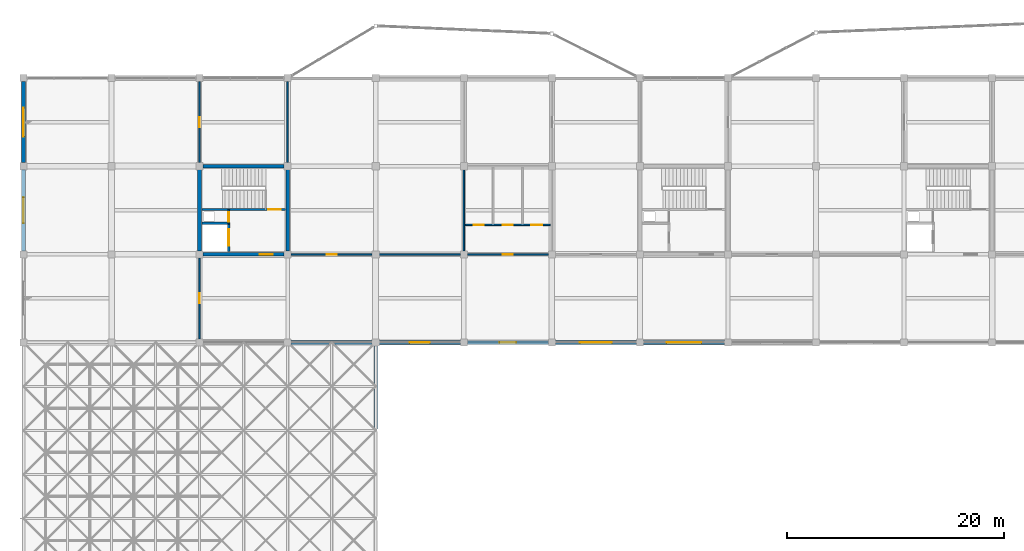
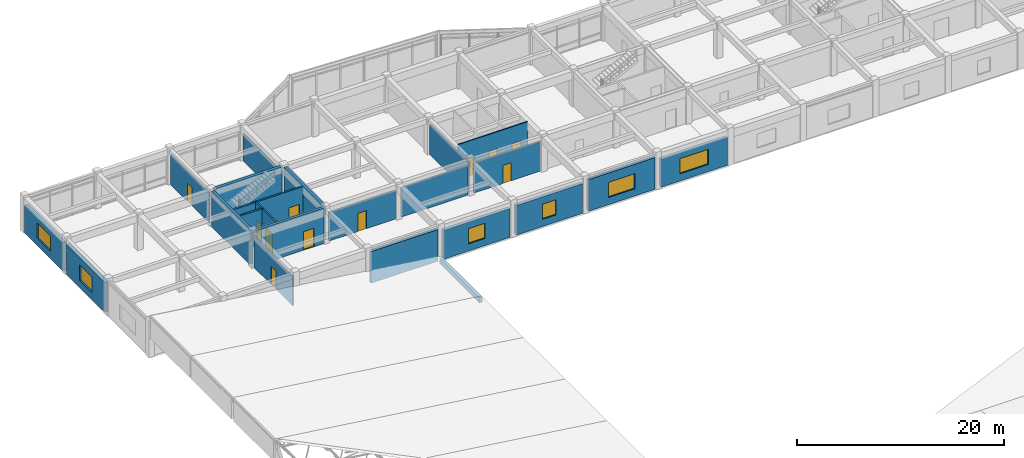
# One storey, part 47 of 70: 24 walls, 11 doors, 6 windows, 17 openings.
"""IFC4 building model written with IfcOpenShell, lengths in metres."""

import ifcopenshell
import ifcopenshell.guid

model = None  # the IFC model being written
_history = None  # IfcOwnerHistory: only IFC2X3 demands one
_inside = {}  # id of a spatial element -> (the spatial element, [elements in it])
_under = {}  # id of a project, library or spatial element -> (it, [spatial elements below it])
_declared = {}  # id of a project -> (the project, [libraries it declares])
_typed = {}  # id of a type object -> (the type object, [elements of that type])
_made_of = {}  # id of a material, layer set ... -> (it, [elements and type objects made of it])


def new_model(schema):
    """Start an empty IFC model of exactly this schema.

    Asked for "IFC4X3", IfcOpenShell would pick the latest addendum, in which some entities
    have other attributes; the version numbers below select the first issue.
    IFC2X3 requires an IfcOwnerHistory on every rooted entity: one is made here for all.
    """
    global model, _history
    if schema == "IFC4X3":
        model = ifcopenshell.file(schema_version=(4, 3, 0, 0))
    else:
        model = ifcopenshell.file(schema=schema)
    _inside.clear()
    _under.clear()
    _declared.clear()
    _typed.clear()
    _made_of.clear()
    _history = None
    if model.schema == "IFC2X3":
        org = make("IfcOrganization", Name="unknown")
        user = make(
            "IfcPersonAndOrganization",
            ThePerson=make("IfcPerson", FamilyName="unknown"),
            TheOrganization=org,
        )
        app = make(
            "IfcApplication",
            ApplicationDeveloper=org,
            Version="unknown",
            ApplicationFullName="unknown",
            ApplicationIdentifier="unknown",
        )
        _history = make(
            "IfcOwnerHistory",
            OwningUser=user,
            OwningApplication=app,
            ChangeAction="ADDED",
            CreationDate=0,
        )
    return model


def make(cls, **values):
    """One entity of the class cls with the attributes given. An attribute that is None is left unset."""
    return model.create_entity(
        cls, **{name: value for name, value in values.items() if value is not None}
    )


def rooted(cls, **values):
    """An entity with a GlobalId (a new one), such as an element, a storey or a relation."""
    return make(cls, GlobalId=ifcopenshell.guid.new(), OwnerHistory=_history, **values)


def si_unit(unit_type, name, prefix=None):
    """IfcSIUnit, for example si_unit("LENGTHUNIT", "METRE", prefix="MILLI")."""
    return make("IfcSIUnit", UnitType=unit_type, Prefix=prefix, Name=name)


def assignment(units):
    """IfcUnitAssignment: the units of a project."""
    return None if units is None else make("IfcUnitAssignment", Units=units)


def point(xyz):
    """IfcCartesianPoint."""
    return None if xyz is None else make("IfcCartesianPoint", Coordinates=xyz)


def direction(xyz):
    """IfcDirection."""
    return None if xyz is None else make("IfcDirection", DirectionRatios=xyz)


def frame(location, z_axis=None, x_axis=None):
    """IfcAxis2Placement3D, a coordinate frame: its origin and axes. An axis left out is left unset."""
    return make(
        "IfcAxis2Placement3D",
        Location=point(location),
        Axis=direction(z_axis),
        RefDirection=direction(x_axis),
    )


def frame_2d(location, x_axis=None):
    """IfcAxis2Placement2D, a coordinate frame in the plane: its origin and x axis."""
    return make(
        "IfcAxis2Placement2D", Location=point(location), RefDirection=direction(x_axis)
    )


def origin():
    """The frame at (0, 0, 0) with its axes left unset."""
    return frame((0.0, 0.0, 0.0))


def place(relative_to, where):
    """IfcLocalPlacement: puts the frame where relative to a parent placement (None: the world)."""
    return make(
        "IfcLocalPlacement", PlacementRelTo=relative_to, RelativePlacement=where
    )


def context(
    kind, dimensions, precision=None, world=None, true_north=None, identifier=None
):
    """IfcGeometricRepresentationContext, for example the 3D "Model" context."""
    return make(
        "IfcGeometricRepresentationContext",
        ContextIdentifier=identifier,
        ContextType=kind,
        CoordinateSpaceDimension=dimensions,
        Precision=precision,
        WorldCoordinateSystem=world,
        TrueNorth=true_north,
    )


def subcontext(parent, identifier, kind, view, scale=None):
    """IfcGeometricRepresentationSubContext, for example "Body" below "Model"."""
    return make(
        "IfcGeometricRepresentationSubContext",
        ContextIdentifier=identifier,
        ContextType=kind,
        ParentContext=parent,
        TargetScale=scale,
        TargetView=view,
    )


def project(units=None, contexts=None):
    """IfcProject with its units and contexts."""
    return rooted(
        "IfcProject",
        Name="project",
        RepresentationContexts=contexts,
        UnitsInContext=assignment(units),
    )


def spatial(cls, under=None, at=None, **own):
    """A site, building, storey or space (cls), placed at a placement, below another one or the project."""
    s = rooted(cls, ObjectPlacement=at, **own)
    if under is not None:
        _under.setdefault(under.id(), (under, []))[1].append(s)
    return s


def profile(cls, at=None, kind="AREA", **sizes):
    """A parametric profile (cls). Its sizes go by their IFC names, for example OverallWidth=200.0."""
    return make(cls, ProfileType=kind, Position=at, **sizes)


def rectangle(**sizes):
    """IfcRectangleProfileDef."""
    return profile("IfcRectangleProfileDef", **sizes)


def extrude(swept, where, along, depth):
    """IfcExtrudedAreaSolid: the profile swept, set in the frame where, extruded along a direction by depth."""
    return make(
        "IfcExtrudedAreaSolid",
        SweptArea=swept,
        Position=where,
        ExtrudedDirection=direction(along),
        Depth=depth,
    )


def shape(context_of_items, identifier, shape_type, items):
    """IfcShapeRepresentation: the items that make up one representation, for example the "Body"."""
    return make(
        "IfcShapeRepresentation",
        ContextOfItems=context_of_items,
        RepresentationIdentifier=identifier,
        RepresentationType=shape_type,
        Items=items,
    )


def material(Name=None, Category=None):
    """IfcMaterial."""
    return make("IfcMaterial", Name=Name, Category=Category)


def layer(
    of_material, thickness, ventilated=None, Name=None, Category=None, Priority=None
):
    """IfcMaterialLayer: one layer of a wall or slab, of a material (None: an air gap)."""
    return make(
        "IfcMaterialLayer",
        Material=of_material,
        LayerThickness=thickness,
        IsVentilated=ventilated,
        Name=Name,
        Category=Category,
        Priority=Priority,
    )


def layer_set(layers, Name=None):
    """IfcMaterialLayerSet."""
    return make("IfcMaterialLayerSet", MaterialLayers=layers, LayerSetName=Name)


def made_of(thing, what):
    """Note that an element or type object is made of a material, layer set ...; save() writes the relation."""
    if what is not None:
        _made_of.setdefault(what.id(), (what, []))[1].append(thing)
    return thing


def type_object(cls, material=None, **own):
    """A type object (cls), such as IfcWallType, which elements share."""
    return made_of(rooted(cls, **own), material)


def element(
    cls,
    number,
    at=None,
    inside=None,
    cuts=None,
    type_object=None,
    material=None,
    context=None,
    identifier="Body",
    shape_type=None,
    held_by="IfcProductDefinitionShape",
    body=None,
    shapes=None,
    **own,
):
    """One element of the class cls, such as IfcWall. Its Tag is "e" and its number.

    at: its placement. inside: the storey or other place that contains it. cuts: it is an
    opening in that element (IfcRelVoidsElement). A single representation is given by context,
    identifier, shape_type and body (its items); several are given by shapes. held_by: the class
    of the entity that holds the representations. save() writes the other relations.
    """
    e = rooted(cls, Tag="e%d" % number, ObjectPlacement=at, **own)
    if body is not None:
        shapes = [shape(context, identifier, shape_type, body)]
    if shapes is not None:
        e.Representation = make(held_by, Representations=shapes)
    if inside is not None:
        _inside.setdefault(inside.id(), (inside, []))[1].append(e)
    if cuts is not None:
        rooted(
            "IfcRelVoidsElement", RelatingBuildingElement=cuts, RelatedOpeningElement=e
        )
    if type_object is not None:
        _typed.setdefault(type_object.id(), (type_object, []))[1].append(e)
    return made_of(e, material)


def fill(opening, filler):
    """IfcRelFillsElement: the door or window that sits in an opening."""
    return rooted(
        "IfcRelFillsElement",
        RelatingOpeningElement=opening,
        RelatedBuildingElement=filler,
    )


def aggregate(whole, parts):
    """IfcRelAggregates: a whole, such as a stair, and the parts it consists of."""
    return rooted("IfcRelAggregates", RelatingObject=whole, RelatedObjects=parts)


def save(model, path):
    """Write the relations noted so far, then the file.

    IfcRelAggregates (storeys below a building ...), IfcRelContainedInSpatialStructure (elements
    in a storey), IfcRelDefinesByType, IfcRelAssociatesMaterial and IfcRelDeclares: one each for
    every whole, place, type object, material and project.
    """
    for whole, parts in _under.values():
        aggregate(whole, parts)
    for where, things in _inside.values():
        rooted(
            "IfcRelContainedInSpatialStructure",
            RelatedElements=things,
            RelatingStructure=where,
        )
    for kind, things in _typed.values():
        rooted("IfcRelDefinesByType", RelatedObjects=things, RelatingType=kind)
    for what, things in _made_of.values():
        rooted("IfcRelAssociatesMaterial", RelatedObjects=things, RelatingMaterial=what)
    for by, libraries in _declared.values():
        rooted("IfcRelDeclares", RelatingContext=by, RelatedDefinitions=libraries)
    model.write(path)


model = new_model("IFC4")

# Units and contexts
model_context = context("Model", 3, precision=1e-05, world=origin(), true_north=direction((0.0, 1.0)))
body_context = subcontext(model_context, "Body", "Model", "MODEL_VIEW")
ifc_project = project(units=[si_unit("LENGTHUNIT", "METRE"), si_unit("AREAUNIT", "SQUARE_METRE"), si_unit("VOLUMEUNIT", "CUBIC_METRE"), si_unit("PLANEANGLEUNIT", "RADIAN"), si_unit("MASSUNIT", "GRAM", prefix="KILO")], contexts=[model_context])

# Site, building, storey
site_placement = place(None, origin())
site = spatial("IfcSite", under=ifc_project, at=site_placement, CompositionType="ELEMENT")
building_placement = place(site_placement, origin())
building = spatial("IfcBuilding", under=site, at=building_placement, Name="Vaudrelin Polytechnic", CompositionType="ELEMENT")
storey_placement = place(building_placement, frame((0.0, 0.0, 14.110107421875)))
storey = spatial("IfcBuildingStorey", under=building, at=storey_placement, Name="L03", CompositionType="ELEMENT", Elevation=14.110107421875)

# Wall
ifc_material_1 = material(Name="Precast concrete 35 MPa with standing-seam zinc rainscreen", Category="concrete")
ifc_layer_1 = layer(ifc_material_1, 0.300048828125)
ifc_layer_set_1 = layer_set([ifc_layer_1], Name="Precast concrete 35 MPa with standing-seam zinc rainscreen")
wall_type_1 = type_object("IfcWallType", Name="WAL-EW-ZINC300", PredefinedType="STANDARD", material=ifc_layer_set_1)
wall_1_placement = place(storey_placement, frame((32.39990234375, 89.22412109375, -0.280029296875), z_axis=(0.0, 0.0, 1.0), x_axis=(0.0, 1.0, 0.0)))
element("IfcWall", 1, at=wall_1_placement, inside=storey, type_object=wall_type_1, Name="Workshop east space-frame fascia 11", PredefinedType="STANDARD", context=body_context, shape_type="SweptSolid", body=[
    extrude(rectangle(XDim=7.7158203125, YDim=0.300048828125, at=frame_2d((3.85791015625, 0.0))), origin(), (0.0, 0.0, 1.0), 0.639892578125),
])

# Wall, opening, window
ifc_layer_2 = layer(ifc_material_1, 0.360107421875)
ifc_layer_set_2 = layer_set([ifc_layer_2], Name="Precast concrete 35 MPa with standing-seam zinc rainscreen")
wall_type_2 = type_object("IfcWallType", Name="WAL-EW-ZINC360", PredefinedType="STANDARD", material=ifc_layer_set_2)
wall_2_placement = place(storey_placement, frame((0.0, 105.623046875, 0.0), z_axis=(0.0, 0.0, 1.0), x_axis=(0.0, 1.0, 0.0)))
wall_2 = element("IfcWall", 2, at=wall_2_placement, inside=storey, type_object=wall_type_2, Name="Exterior wall L03 W_V5_01", PredefinedType="STANDARD", context=body_context, shape_type="SweptSolid", body=[
    extrude(rectangle(XDim=7.453857421875, YDim=0.360107421875, at=frame_2d((3.72705078125, 0.0))), origin(), (0.0, 0.0, 1.0), 3.56201171875),
])
opening_1_placement = place(wall_2_placement, frame((2.552001953125, 0.0, 0.85009765625)))
opening_1 = element("IfcOpeningElement", 3, at=opening_1_placement, cuts=wall_2, Name="Opening W-L03-W-V5-02", PredefinedType="OPENING", context=body_context, shape_type="SweptSolid", body=[
    extrude(rectangle(XDim=2.35009765625, YDim=1.800048828125, at=frame_2d((1.175048828125, 0.89990234375))), frame((0.0, 0.18994140625, 0.0), z_axis=(0.0, -1.0, 0.0), x_axis=(1.0, 0.0, 0.0)), (0.0, 0.0, 1.0), 0.380126953125),
])
ifc_material_2 = material(Name="Thermally broken aluminium frame with triple low-e glazing", Category="aluminium")
window_type_1 = type_object("IfcWindowType", Name="WIN-WN-31", PartitioningType="SINGLE_PANEL", PredefinedType="WINDOW", material=ifc_material_2)
window_1_placement = place(opening_1_placement, origin())
window_1 = element("IfcWindow", 4, at=window_1_placement, inside=storey, type_object=window_type_1, Name="Facade window L03-W_V5_01", OverallHeight=1.800048828125, OverallWidth=2.35009765625, PartitioningType="SINGLE_PANEL", PredefinedType="WINDOW", context=body_context, shape_type="SweptSolid", body=[
    extrude(rectangle(XDim=2.35009765625, YDim=1.800048828125, at=frame_2d((1.175048828125, 0.89990234375))), frame((0.0, 0.030029296875, 0.0), z_axis=(0.0, -1.0, 0.0), x_axis=(1.0, 0.0, 0.0)), (0.0, 0.0, 1.0), 0.06005859375),
])
fill(opening_1, window_1)

wall_3_placement = place(storey_placement, frame((0.0, 113.722900390625, 0.0), z_axis=(0.0, 0.0, 1.0), x_axis=(0.0, 1.0, 0.0)))
wall_3 = element("IfcWall", 5, at=wall_3_placement, inside=storey, type_object=wall_type_2, Name="Exterior wall L03 W_V5_02", PredefinedType="STANDARD", context=body_context, shape_type="SweptSolid", body=[
    extrude(rectangle(XDim=7.4541015625, YDim=0.360107421875, at=frame_2d((3.72705078125, 0.0))), origin(), (0.0, 0.0, 1.0), 3.31201171875),
])
opening_2_placement = place(wall_3_placement, frame((2.402099609375, 0.0, 0.85009765625)))
opening_2 = element("IfcOpeningElement", 6, at=opening_2_placement, cuts=wall_3, Name="Opening W-L03-W-V5-03", PredefinedType="OPENING", context=body_context, shape_type="SweptSolid", body=[
    extrude(rectangle(XDim=2.64990234375, YDim=1.800048828125, at=frame_2d((1.324951171875, 0.89990234375))), frame((0.0, 0.18994140625, 0.0), z_axis=(0.0, -1.0, 0.0), x_axis=(1.0, 0.0, 0.0)), (0.0, 0.0, 1.0), 0.380126953125),
])
window_type_2 = type_object("IfcWindowType", Name="WIN-WN-32", PartitioningType="SINGLE_PANEL", PredefinedType="WINDOW", material=ifc_material_2)
window_2_placement = place(opening_2_placement, origin())
window_2 = element("IfcWindow", 7, at=window_2_placement, inside=storey, type_object=window_type_2, Name="Facade window L03-W_V5_02", OverallHeight=1.800048828125, OverallWidth=2.64990234375, PartitioningType="SINGLE_PANEL", PredefinedType="WINDOW", context=body_context, shape_type="SweptSolid", body=[
    extrude(rectangle(XDim=2.64990234375, YDim=1.800048828125, at=frame_2d((1.324951171875, 0.89990234375))), frame((0.0, 0.030029296875, 0.0), z_axis=(0.0, -1.0, 0.0), x_axis=(1.0, 0.0, 0.0)), (0.0, 0.0, 1.0), 0.06005859375),
])
fill(opening_2, window_2)

# Wall
wall_4_placement = place(storey_placement, frame((24.623046875, 97.199951171875, 0.0), z_axis=(0.0, 0.0, 1.0), x_axis=(1.0, 0.0, 0.0)))
element("IfcWall", 8, at=wall_4_placement, inside=storey, type_object=wall_type_2, Name="Exterior wall L03 S_V5_03", PredefinedType="STANDARD", context=body_context, shape_type="SweptSolid", body=[
    extrude(rectangle(XDim=7.453857421875, YDim=0.360107421875, at=frame_2d((3.72705078125, 0.0))), origin(), (0.0, 0.0, 1.0), 3.746826171875),
])

# Wall, opening, window
wall_5_placement = place(storey_placement, frame((32.722900390625, 97.199951171875, 0.0), z_axis=(0.0, 0.0, 1.0), x_axis=(1.0, 0.0, 0.0)))
wall_5 = element("IfcWall", 9, at=wall_5_placement, inside=storey, type_object=wall_type_2, Name="Exterior wall L03 S_V5_04", PredefinedType="STANDARD", context=body_context, shape_type="SweptSolid", body=[
    extrude(rectangle(XDim=7.4541015625, YDim=0.360107421875, at=frame_2d((3.72705078125, 0.0))), origin(), (0.0, 0.0, 1.0), 3.411865234375),
])
opening_3_placement = place(wall_5_placement, frame((2.802001953125, 0.0, 0.85009765625)))
opening_3 = element("IfcOpeningElement", 10, at=opening_3_placement, cuts=wall_5, Name="Opening W-L03-S-V5-05", PredefinedType="OPENING", context=body_context, shape_type="SweptSolid", body=[
    extrude(rectangle(XDim=1.85009765625, YDim=1.800048828125, at=frame_2d((0.925048828125, 0.89990234375))), frame((0.0, 0.18994140625, 0.0), z_axis=(0.0, -1.0, 0.0), x_axis=(1.0, 0.0, 0.0)), (0.0, 0.0, 1.0), 0.380126953125),
])
window_type_3 = type_object("IfcWindowType", Name="WIN-WN-33", PartitioningType="SINGLE_PANEL", PredefinedType="WINDOW", material=ifc_material_2)
window_3_placement = place(opening_3_placement, origin())
window_3 = element("IfcWindow", 11, at=window_3_placement, inside=storey, type_object=window_type_3, Name="Facade window L03-S_V5_04", OverallHeight=1.800048828125, OverallWidth=1.85009765625, PartitioningType="SINGLE_PANEL", PredefinedType="WINDOW", context=body_context, shape_type="SweptSolid", body=[
    extrude(rectangle(XDim=1.85009765625, YDim=1.800048828125, at=frame_2d((0.925048828125, 0.89990234375))), frame((0.0, 0.030029296875, 0.0), z_axis=(0.0, -1.0, 0.0), x_axis=(1.0, 0.0, 0.0)), (0.0, 0.0, 1.0), 0.06005859375),
])
fill(opening_3, window_3)

wall_6_placement = place(storey_placement, frame((40.822998046875, 97.199951171875, 0.0), z_axis=(0.0, 0.0, 1.0), x_axis=(1.0, 0.0, 0.0)))
wall_6 = element("IfcWall", 12, at=wall_6_placement, inside=storey, type_object=wall_type_2, Name="Exterior wall L03 S_V5_05", PredefinedType="STANDARD", context=body_context, shape_type="SweptSolid", body=[
    extrude(rectangle(XDim=7.4541015625, YDim=0.360107421875, at=frame_2d((3.72705078125, 0.0))), origin(), (0.0, 0.0, 1.0), 3.511962890625),
])
opening_4_placement = place(wall_6_placement, frame((2.951904296875, 0.0, 0.85009765625)))
opening_4 = element("IfcOpeningElement", 13, at=opening_4_placement, cuts=wall_6, Name="Opening W-L03-S-V5-06", PredefinedType="OPENING", context=body_context, shape_type="SweptSolid", body=[
    extrude(rectangle(XDim=1.550048828125, YDim=1.800048828125, at=frame_2d((0.77490234375, 0.89990234375))), frame((0.0, 0.18994140625, 0.0), z_axis=(0.0, -1.0, 0.0), x_axis=(1.0, 0.0, 0.0)), (0.0, 0.0, 1.0), 0.380126953125),
])
window_type_4 = type_object("IfcWindowType", Name="WIN-WN-34", PartitioningType="SINGLE_PANEL", PredefinedType="WINDOW", material=ifc_material_2)
window_4_placement = place(opening_4_placement, origin())
window_4 = element("IfcWindow", 14, at=window_4_placement, inside=storey, type_object=window_type_4, Name="Facade window L03-S_V5_05", OverallHeight=1.800048828125, OverallWidth=1.550048828125, PartitioningType="SINGLE_PANEL", PredefinedType="WINDOW", context=body_context, shape_type="SweptSolid", body=[
    extrude(rectangle(XDim=1.550048828125, YDim=1.800048828125, at=frame_2d((0.77490234375, 0.89990234375))), frame((0.0, 0.030029296875, 0.0), z_axis=(0.0, -1.0, 0.0), x_axis=(1.0, 0.0, 0.0)), (0.0, 0.0, 1.0), 0.06005859375),
])
fill(opening_4, window_4)

wall_7_placement = place(storey_placement, frame((48.923095703125, 97.199951171875, 0.0), z_axis=(0.0, 0.0, 1.0), x_axis=(1.0, 0.0, 0.0)))
wall_7 = element("IfcWall", 15, at=wall_7_placement, inside=storey, type_object=wall_type_2, Name="Exterior wall L03 S_V5_06", PredefinedType="STANDARD", context=body_context, shape_type="SweptSolid", body=[
    extrude(rectangle(XDim=7.453857421875, YDim=0.360107421875, at=frame_2d((3.72705078125, 0.0))), origin(), (0.0, 0.0, 1.0), 3.746826171875),
])
opening_5_placement = place(wall_7_placement, frame((2.251953125, 0.0, 0.85009765625)))
opening_5 = element("IfcOpeningElement", 16, at=opening_5_placement, cuts=wall_7, Name="Opening W-L03-S-V5-07", PredefinedType="OPENING", context=body_context, shape_type="SweptSolid", body=[
    extrude(rectangle(XDim=2.949951171875, YDim=1.800048828125, at=frame_2d((1.47509765625, 0.89990234375))), frame((0.0, 0.18994140625, 0.0), z_axis=(0.0, -1.0, 0.0), x_axis=(1.0, 0.0, 0.0)), (0.0, 0.0, 1.0), 0.380126953125),
])
window_type_5 = type_object("IfcWindowType", Name="WIN-WN-35", PartitioningType="SINGLE_PANEL", PredefinedType="WINDOW", material=ifc_material_2)
window_5_placement = place(opening_5_placement, origin())
window_5 = element("IfcWindow", 17, at=window_5_placement, inside=storey, type_object=window_type_5, Name="Facade window L03-S_V5_06", OverallHeight=1.800048828125, OverallWidth=2.949951171875, PartitioningType="SINGLE_PANEL", PredefinedType="WINDOW", context=body_context, shape_type="SweptSolid", body=[
    extrude(rectangle(XDim=2.949951171875, YDim=1.800048828125, at=frame_2d((1.47509765625, 0.89990234375))), frame((0.0, 0.030029296875, 0.0), z_axis=(0.0, -1.0, 0.0), x_axis=(1.0, 0.0, 0.0)), (0.0, 0.0, 1.0), 0.06005859375),
])
fill(opening_5, window_5)

wall_8_placement = place(storey_placement, frame((57.02294921875, 97.199951171875, 0.0), z_axis=(0.0, 0.0, 1.0), x_axis=(1.0, 0.0, 0.0)))
wall_8 = element("IfcWall", 18, at=wall_8_placement, inside=storey, type_object=wall_type_2, Name="Exterior wall L03 S_V5_07", PredefinedType="STANDARD", context=body_context, shape_type="SweptSolid", body=[
    extrude(rectangle(XDim=7.4541015625, YDim=0.360107421875, at=frame_2d((3.72705078125, 0.0))), origin(), (0.0, 0.0, 1.0), 3.31201171875),
])
opening_6_placement = place(wall_8_placement, frame((2.126953125, 0.0, 0.85009765625)))
opening_6 = element("IfcOpeningElement", 19, at=opening_6_placement, cuts=wall_8, Name="Opening W-L03-S-V5-08", PredefinedType="OPENING", context=body_context, shape_type="SweptSolid", body=[
    extrude(rectangle(XDim=3.199951171875, YDim=1.800048828125, at=frame_2d((1.60009765625, 0.89990234375))), frame((0.0, 0.18994140625, 0.0), z_axis=(0.0, -1.0, 0.0), x_axis=(1.0, 0.0, 0.0)), (0.0, 0.0, 1.0), 0.380126953125),
])
window_type_6 = type_object("IfcWindowType", Name="WIN-WN-36", PartitioningType="SINGLE_PANEL", PredefinedType="WINDOW", material=ifc_material_2)
window_6_placement = place(opening_6_placement, origin())
window_6 = element("IfcWindow", 20, at=window_6_placement, inside=storey, type_object=window_type_6, Name="Facade window L03-S_V5_07", OverallHeight=1.800048828125, OverallWidth=3.199951171875, PartitioningType="SINGLE_PANEL", PredefinedType="WINDOW", context=body_context, shape_type="SweptSolid", body=[
    extrude(rectangle(XDim=3.199951171875, YDim=1.800048828125, at=frame_2d((1.60009765625, 0.89990234375))), frame((0.0, 0.030029296875, 0.0), z_axis=(0.0, -1.0, 0.0), x_axis=(1.0, 0.0, 0.0)), (0.0, 0.0, 1.0), 0.06005859375),
])
fill(opening_6, window_6)

# Wall, opening, door
ifc_material_3 = material(Name="Fire-rated steel-stud gypsum compartment wall", Category="steel")
ifc_layer_3 = layer(ifc_material_3, 0.14990234375)
ifc_layer_set_3 = layer_set([ifc_layer_3], Name="Fire-rated steel-stud gypsum compartment wall")
wall_type_3 = type_object("IfcWallType", Name="WAL-PW-FIRE60", PredefinedType="PARTITIONING", material=ifc_layer_set_3)
wall_9_placement = place(storey_placement, frame((18.8798828125, 108.14990234375, 0.0), z_axis=(0.0, 0.0, 1.0), x_axis=(0.0, 1.0, 0.0)))
wall_9 = element("IfcWall", 21, at=wall_9_placement, inside=storey, type_object=wall_type_3, Name="Core C1 riser enclosure wall L03", PredefinedType="PARTITIONING", context=body_context, shape_type="SweptSolid", body=[
    extrude(rectangle(XDim=1.260009765625, YDim=0.14990234375, at=frame_2d((0.6298828125, 0.0))), origin(), (0.0, 0.0, 1.0), 4.161865234375),
])
opening_7_placement = place(wall_9_placement, frame((0.139892578125, 0.0, 0.0)))
opening_7 = element("IfcOpeningElement", 22, at=opening_7_placement, cuts=wall_9, Name="Opening D-L03-016", PredefinedType="OPENING", context=body_context, shape_type="SweptSolid", body=[
    extrude(rectangle(XDim=0.89990234375, YDim=2.14990234375, at=frame_2d((0.449951171875, 1.074951171875))), frame((0.0, 0.0849609375, 0.0), z_axis=(0.0, -1.0, 0.0), x_axis=(1.0, 0.0, 0.0)), (0.0, 0.0, 1.0), 0.169921875),
])
ifc_material_4 = material(Name="Pressed galvanised steel acoustic leaf", Category="steel")
door_type_1 = type_object("IfcDoorType", Name="DOR-ID-RSR1", OperationType="NOTDEFINED", PredefinedType="DOOR", material=ifc_material_4)
door_1_placement = place(opening_7_placement, origin())
door_1 = element("IfcDoor", 23, at=door_1_placement, inside=storey, type_object=door_type_1, Name="Core C1 riser access door L03", OperationType="SINGLE_SWING_RIGHT", OverallHeight=2.14990234375, OverallWidth=0.89990234375, PredefinedType="DOOR", context=body_context, shape_type="SweptSolid", body=[
    extrude(rectangle(XDim=0.89990234375, YDim=2.14990234375, at=frame_2d((0.449951171875, 1.074951171875))), frame((0.0, 0.02490234375, 0.0), z_axis=(0.0, -1.0, 0.0), x_axis=(1.0, 0.0, 0.0)), (0.0, 0.0, 1.0), 0.050048828125),
])
fill(opening_7, door_1)

ifc_material_5 = material(Name="Acoustic steel-stud office & study room partition", Category="steel")
ifc_layer_4 = layer(ifc_material_5, 0.135009765625)
ifc_layer_set_4 = layer_set([ifc_layer_4], Name="Acoustic steel-stud office & study room partition")
wall_type_4 = type_object("IfcWallType", Name="WAL-PW-OFF135", PredefinedType="PARTITIONING", material=ifc_layer_set_4)
wall_10_placement = place(storey_placement, frame((16.199951171875, 97.52294921875, 0.0), z_axis=(0.0, 0.0, 1.0), x_axis=(0.0, 1.0, 0.0)))
wall_10 = element("IfcWall", 24, at=wall_10_placement, inside=storey, type_object=wall_type_4, Name="Partition L03-001 E", PredefinedType="PARTITIONING", context=body_context, shape_type="SweptSolid", body=[
    extrude(rectangle(XDim=7.4541015625, YDim=0.135009765625, at=frame_2d((3.72705078125, 0.0))), origin(), (0.0, 0.0, 1.0), 3.411865234375),
])
opening_8_placement = place(wall_10_placement, frame((3.251953125, 0.0, 0.0)))
opening_8 = element("IfcOpeningElement", 25, at=opening_8_placement, cuts=wall_10, Name="Opening D-L03-495", PredefinedType="OPENING", context=body_context, shape_type="SweptSolid", body=[
    extrude(rectangle(XDim=0.949951171875, YDim=2.14990234375, at=frame_2d((0.47509765625, 1.074951171875))), frame((0.0, 0.07763671875, 0.0), z_axis=(0.0, -1.0, 0.0), x_axis=(1.0, 0.0, 0.0)), (0.0, 0.0, 1.0), 0.155029296875),
])
ifc_material_6 = material(Name="Solid-core birch veneer acoustic leaf", Category="wood")
door_type_2 = type_object("IfcDoorType", Name="DOR-ID-OFF1", OperationType="NOTDEFINED", PredefinedType="DOOR", material=ifc_material_6)
door_2_placement = place(opening_8_placement, origin())
door_2 = element("IfcDoor", 26, at=door_2_placement, inside=storey, type_object=door_type_2, Name="Technical Library Upper Reading Room door L03-001", OperationType="SINGLE_SWING_LEFT", OverallHeight=2.14990234375, OverallWidth=0.949951171875, PredefinedType="DOOR", context=body_context, shape_type="SweptSolid", body=[
    extrude(rectangle(XDim=0.949951171875, YDim=2.14990234375, at=frame_2d((0.47509765625, 1.074951171875))), frame((0.0, 0.02490234375, 0.0), z_axis=(0.0, -1.0, 0.0), x_axis=(1.0, 0.0, 0.0)), (0.0, 0.0, 1.0), 0.050048828125),
])
fill(opening_8, door_2)

wall_11_placement = place(storey_placement, frame((16.199951171875, 113.722900390625, 0.0), z_axis=(0.0, 0.0, 1.0), x_axis=(0.0, 1.0, 0.0)))
wall_11 = element("IfcWall", 27, at=wall_11_placement, inside=storey, type_object=wall_type_4, Name="Partition L03-001 E", PredefinedType="PARTITIONING", context=body_context, shape_type="SweptSolid", body=[
    extrude(rectangle(XDim=7.4541015625, YDim=0.135009765625, at=frame_2d((3.72705078125, 0.0))), origin(), (0.0, 0.0, 1.0), 3.56201171875),
])
opening_9_placement = place(wall_11_placement, frame((3.251953125, 0.0, 0.0)))
opening_9 = element("IfcOpeningElement", 28, at=opening_9_placement, cuts=wall_11, Name="Opening D-L03-511", PredefinedType="OPENING", context=body_context, shape_type="SweptSolid", body=[
    extrude(rectangle(XDim=0.949951171875, YDim=2.14990234375, at=frame_2d((0.47509765625, 1.074951171875))), frame((0.0, 0.07763671875, 0.0), z_axis=(0.0, -1.0, 0.0), x_axis=(1.0, 0.0, 0.0)), (0.0, 0.0, 1.0), 0.155029296875),
])
door_3_placement = place(opening_9_placement, origin())
door_3 = element("IfcDoor", 29, at=door_3_placement, inside=storey, type_object=door_type_2, Name="Upper Library Thesis Carrels door L03-019", OperationType="SINGLE_SWING_LEFT", OverallHeight=2.14990234375, OverallWidth=0.949951171875, PredefinedType="DOOR", context=body_context, shape_type="SweptSolid", body=[
    extrude(rectangle(XDim=0.949951171875, YDim=2.14990234375, at=frame_2d((0.47509765625, 1.074951171875))), frame((0.0, 0.02490234375, 0.0), z_axis=(0.0, -1.0, 0.0), x_axis=(1.0, 0.0, 0.0)), (0.0, 0.0, 1.0), 0.050048828125),
])
fill(opening_9, door_3)

wall_12_placement = place(storey_placement, frame((24.623046875, 105.300048828125, 0.0), z_axis=(0.0, 0.0, 1.0), x_axis=(1.0, 0.0, 0.0)))
wall_12 = element("IfcWall", 30, at=wall_12_placement, inside=storey, type_object=wall_type_4, Name="Partition L03-002 S", PredefinedType="PARTITIONING", context=body_context, shape_type="SweptSolid", body=[
    extrude(rectangle(XDim=7.453857421875, YDim=0.135009765625, at=frame_2d((3.72705078125, 0.0))), origin(), (0.0, 0.0, 1.0), 3.411865234375),
])
opening_10_placement = place(wall_12_placement, frame((3.251953125, 0.0, 0.0)))
opening_10 = element("IfcOpeningElement", 31, at=opening_10_placement, cuts=wall_12, Name="Opening D-L03-496", PredefinedType="OPENING", context=body_context, shape_type="SweptSolid", body=[
    extrude(rectangle(XDim=0.949951171875, YDim=2.14990234375, at=frame_2d((0.47509765625, 1.074951171875))), frame((0.0, 0.07763671875, 0.0), z_axis=(0.0, -1.0, 0.0), x_axis=(1.0, 0.0, 0.0)), (0.0, 0.0, 1.0), 0.155029296875),
])
door_4_placement = place(opening_10_placement, origin())
door_4 = element("IfcDoor", 32, at=door_4_placement, inside=storey, type_object=door_type_2, Name="Rare Engineering Standards Archive door L03-002", OperationType="SINGLE_SWING_RIGHT", OverallHeight=2.14990234375, OverallWidth=0.949951171875, PredefinedType="DOOR", context=body_context, shape_type="SweptSolid", body=[
    extrude(rectangle(XDim=0.949951171875, YDim=2.14990234375, at=frame_2d((0.47509765625, 1.074951171875))), frame((0.0, 0.02490234375, 0.0), z_axis=(0.0, -1.0, 0.0), x_axis=(1.0, 0.0, 0.0)), (0.0, 0.0, 1.0), 0.050048828125),
])
fill(opening_10, door_4)

# Walls
wall_13_placement = place(storey_placement, frame((32.722900390625, 105.300048828125, 0.0), z_axis=(0.0, 0.0, 1.0), x_axis=(1.0, 0.0, 0.0)))
element("IfcWall", 33, at=wall_13_placement, inside=storey, type_object=wall_type_4, Name="Partition L03-002 S", PredefinedType="PARTITIONING", context=body_context, shape_type="SweptSolid", body=[
    extrude(rectangle(XDim=7.4541015625, YDim=0.135009765625, at=frame_2d((3.72705078125, 0.0))), origin(), (0.0, 0.0, 1.0), 3.511962890625),
])
wall_14_placement = place(storey_placement, frame((24.300048828125, 113.722900390625, 0.0), z_axis=(0.0, 0.0, 1.0), x_axis=(0.0, 1.0, 0.0)))
element("IfcWall", 34, at=wall_14_placement, inside=storey, type_object=wall_type_4, Name="Partition L03-002 W", PredefinedType="PARTITIONING", context=body_context, shape_type="SweptSolid", body=[
    extrude(rectangle(XDim=7.4541015625, YDim=0.135009765625, at=frame_2d((3.72705078125, 0.0))), origin(), (0.0, 0.0, 1.0), 3.2119140625),
])

# Wall, opening, door
ifc_material_7 = material(Name="Cement-board tiled wet-wall washroom partition", Category="gypsum")
ifc_layer_5 = layer(ifc_material_7, 0.139892578125)
ifc_layer_set_5 = layer_set([ifc_layer_5], Name="Cement-board tiled wet-wall washroom partition")
wall_type_5 = type_object("IfcWallType", Name="WAL-PW-WC140", PredefinedType="PARTITIONING", material=ifc_layer_set_5)
wall_15_placement = place(storey_placement, frame((40.822998046875, 105.300048828125, 0.0), z_axis=(0.0, 0.0, 1.0), x_axis=(1.0, 0.0, 0.0)))
wall_15 = element("IfcWall", 35, at=wall_15_placement, inside=storey, type_object=wall_type_5, Name="Washroom enclosure wall L03-5-13-S", PredefinedType="PARTITIONING", context=body_context, shape_type="SweptSolid", body=[
    extrude(rectangle(XDim=7.4541015625, YDim=0.139892578125, at=frame_2d((3.72705078125, 0.0))), origin(), (0.0, 0.0, 1.0), 3.559814453125),
])
opening_11_placement = place(wall_15_placement, frame((3.26708984375, 0.0, 0.0)))
opening_11 = element("IfcOpeningElement", 36, at=opening_11_placement, cuts=wall_15, Name="Opening D-L03-361", PredefinedType="OPENING", context=body_context, shape_type="SweptSolid", body=[
    extrude(rectangle(XDim=0.919921875, YDim=2.14990234375, at=frame_2d((0.4599609375, 1.074951171875))), frame((0.0, 0.080078125, 0.0), z_axis=(0.0, -1.0, 0.0), x_axis=(1.0, 0.0, 0.0)), (0.0, 0.0, 1.0), 0.159912109375),
])
door_type_3 = type_object("IfcDoorType", Name="DOR-ID-WC1", OperationType="NOTDEFINED", PredefinedType="DOOR", material=ifc_material_6)
door_5_placement = place(opening_11_placement, origin())
door_5 = element("IfcDoor", 37, at=door_5_placement, inside=storey, type_object=door_type_3, Name="Washroom vestibule door L03-5-13-S", OperationType="SINGLE_SWING_LEFT", OverallHeight=2.14990234375, OverallWidth=0.919921875, PredefinedType="DOOR", context=body_context, shape_type="SweptSolid", body=[
    extrude(rectangle(XDim=0.919921875, YDim=2.14990234375, at=frame_2d((0.4599609375, 1.074951171875))), frame((0.0, 0.02490234375, 0.0), z_axis=(0.0, -1.0, 0.0), x_axis=(1.0, 0.0, 0.0)), (0.0, 0.0, 1.0), 0.050048828125),
])
fill(opening_11, door_5)

# Wall
wall_16_placement = place(storey_placement, frame((40.5, 105.623046875, 0.0), z_axis=(0.0, 0.0, 1.0), x_axis=(0.0, 1.0, 0.0)))
element("IfcWall", 38, at=wall_16_placement, inside=storey, type_object=wall_type_5, Name="Washroom enclosure wall L03-5-13-W", PredefinedType="PARTITIONING", context=body_context, shape_type="SweptSolid", body=[
    extrude(rectangle(XDim=7.453857421875, YDim=0.139892578125, at=frame_2d((3.72705078125, 0.0))), origin(), (0.0, 0.0, 1.0), 3.559814453125),
])

# Wall, openings, doors
wall_17_placement = place(storey_placement, frame((40.64990234375, 108.0, 0.0), z_axis=(0.0, 0.0, 1.0), x_axis=(1.0, 0.0, 0.0)))
wall_17 = element("IfcWall", 39, at=wall_17_placement, inside=storey, type_object=wall_type_5, Name="Washroom vestibule divider L03-5-13", PredefinedType="PARTITIONING", context=body_context, shape_type="SweptSolid", body=[
    extrude(rectangle(XDim=7.800048828125, YDim=0.139892578125, at=frame_2d((3.89990234375, 0.0))), origin(), (0.0, 0.0, 1.0), 4.161865234375),
])
opening_12_placement = place(wall_17_placement, frame((0.75, 0.0, 0.0)))
opening_12 = element("IfcOpeningElement", 40, at=opening_12_placement, cuts=wall_17, Name="Opening D-L03-362", PredefinedType="OPENING", context=body_context, shape_type="SweptSolid", body=[
    extrude(rectangle(XDim=0.919921875, YDim=2.14990234375, at=frame_2d((0.4599609375, 1.074951171875))), frame((0.0, 0.080078125, 0.0), z_axis=(0.0, -1.0, 0.0), x_axis=(1.0, 0.0, 0.0)), (0.0, 0.0, 1.0), 0.159912109375),
])
opening_13_placement = place(wall_17_placement, frame((3.43994140625, 0.0, 0.0)))
opening_13 = element("IfcOpeningElement", 41, at=opening_13_placement, cuts=wall_17, Name="Opening D-L03-363", PredefinedType="OPENING", context=body_context, shape_type="SweptSolid", body=[
    extrude(rectangle(XDim=0.919921875, YDim=2.14990234375, at=frame_2d((0.4599609375, 1.074951171875))), frame((0.0, 0.080078125, 0.0), z_axis=(0.0, -1.0, 0.0), x_axis=(1.0, 0.0, 0.0)), (0.0, 0.0, 1.0), 0.159912109375),
])
opening_14_placement = place(wall_17_placement, frame((6.050048828125, 0.0, 0.0)))
opening_14 = element("IfcOpeningElement", 42, at=opening_14_placement, cuts=wall_17, Name="Opening D-L03-364", PredefinedType="OPENING", context=body_context, shape_type="SweptSolid", body=[
    extrude(rectangle(XDim=1.0, YDim=2.14990234375, at=frame_2d((0.5, 1.074951171875))), frame((0.0, 0.080078125, 0.0), z_axis=(0.0, -1.0, 0.0), x_axis=(1.0, 0.0, 0.0)), (0.0, 0.0, 1.0), 0.159912109375),
])
door_type_4 = type_object("IfcDoorType", Name="DOR-ID-AWC1", OperationType="NOTDEFINED", PredefinedType="DOOR", material=ifc_material_6)
door_6_placement = place(opening_14_placement, origin())
door_6 = element("IfcDoor", 43, at=door_6_placement, inside=storey, type_object=door_type_4, Name="Washroom stall-room door L03-5-13-3", OperationType="SINGLE_SWING_LEFT", OverallHeight=2.14990234375, OverallWidth=1.0, PredefinedType="DOOR", context=body_context, shape_type="SweptSolid", body=[
    extrude(rectangle(XDim=1.0, YDim=2.14990234375, at=frame_2d((0.5, 1.074951171875))), frame((0.0, 0.02490234375, 0.0), z_axis=(0.0, -1.0, 0.0), x_axis=(1.0, 0.0, 0.0)), (0.0, 0.0, 1.0), 0.050048828125),
])
fill(opening_14, door_6)
door_7_placement = place(opening_12_placement, origin())
door_7 = element("IfcDoor", 44, at=door_7_placement, inside=storey, type_object=door_type_3, Name="Washroom stall-room door L03-5-13-1", OperationType="SINGLE_SWING_LEFT", OverallHeight=2.14990234375, OverallWidth=0.919921875, PredefinedType="DOOR", context=body_context, shape_type="SweptSolid", body=[
    extrude(rectangle(XDim=0.919921875, YDim=2.14990234375, at=frame_2d((0.4599609375, 1.074951171875))), frame((0.0, 0.02490234375, 0.0), z_axis=(0.0, -1.0, 0.0), x_axis=(1.0, 0.0, 0.0)), (0.0, 0.0, 1.0), 0.050048828125),
])
fill(opening_12, door_7)
door_8_placement = place(opening_13_placement, origin())
door_8 = element("IfcDoor", 45, at=door_8_placement, inside=storey, type_object=door_type_3, Name="Washroom stall-room door L03-5-13-2", OperationType="SINGLE_SWING_RIGHT", OverallHeight=2.14990234375, OverallWidth=0.919921875, PredefinedType="DOOR", context=body_context, shape_type="SweptSolid", body=[
    extrude(rectangle(XDim=0.919921875, YDim=2.14990234375, at=frame_2d((0.4599609375, 1.074951171875))), frame((0.0, 0.02490234375, 0.0), z_axis=(0.0, -1.0, 0.0), x_axis=(1.0, 0.0, 0.0)), (0.0, 0.0, 1.0), 0.050048828125),
])
fill(opening_13, door_8)

# Wall, opening, door
ifc_material_8 = material(Name="Concrete 40 MPa", Category="concrete")
ifc_layer_6 = layer(ifc_material_8, 0.199951171875)
ifc_layer_set_6 = layer_set([ifc_layer_6], Name="Concrete 40 MPa")
wall_type_6 = type_object("IfcWallType", Name="WAL-SW-CORE200", PredefinedType="SHEAR", material=ifc_layer_set_6)
wall_18_placement = place(storey_placement, frame((16.419921875, 109.409912109375, 0.0), z_axis=(0.0, 0.0, 1.0), x_axis=(1.0, 0.0, 0.0)))
wall_18 = element("IfcWall", 46, at=wall_18_placement, inside=storey, type_object=wall_type_6, Name="Core C1 stair enclosure wall L03", PredefinedType="SHEAR", context=body_context, shape_type="SweptSolid", body=[
    extrude(rectangle(XDim=7.66015625, YDim=0.199951171875, at=frame_2d((3.830078125, 0.0))), origin(), (0.0, 0.0, 1.0), 4.161865234375),
])
opening_15_placement = place(wall_18_placement, frame((6.110107421875, 0.0, 0.0)))
opening_15 = element("IfcOpeningElement", 47, at=opening_15_placement, cuts=wall_18, Name="Opening D-L03-015", PredefinedType="OPENING", context=body_context, shape_type="SweptSolid", body=[
    extrude(rectangle(XDim=1.14990234375, YDim=2.199951171875, at=frame_2d((0.574951171875, 1.10009765625))), frame((0.0, 0.10986328125, 0.0), z_axis=(0.0, -1.0, 0.0), x_axis=(1.0, 0.0, 0.0)), (0.0, 0.0, 1.0), 0.219970703125),
])
door_type_5 = type_object("IfcDoorType", Name="DOR-ID-ST1", OperationType="NOTDEFINED", PredefinedType="DOOR", material=ifc_material_4)
door_9_placement = place(opening_15_placement, origin())
door_9 = element("IfcDoor", 48, at=door_9_placement, inside=storey, type_object=door_type_5, Name="Core C1 exit stair door L03", OperationType="SINGLE_SWING_LEFT", OverallHeight=2.199951171875, OverallWidth=1.14990234375, PredefinedType="DOOR", context=body_context, shape_type="SweptSolid", body=[
    extrude(rectangle(XDim=1.14990234375, YDim=2.199951171875, at=frame_2d((0.574951171875, 1.10009765625))), frame((0.0, 0.02490234375, 0.0), z_axis=(0.0, -1.0, 0.0), x_axis=(1.0, 0.0, 0.0)), (0.0, 0.0, 1.0), 0.050048828125),
])
fill(opening_15, door_9)

wall_19_placement = place(storey_placement, frame((18.8798828125, 105.550048828125, 0.0), z_axis=(0.0, 0.0, 1.0), x_axis=(0.0, 1.0, 0.0)))
wall_19 = element("IfcWall", 49, at=wall_19_placement, inside=storey, type_object=wall_type_6, Name="Lift LF-01 shaft front wall L03", PredefinedType="SHEAR", context=body_context, shape_type="SweptSolid", body=[
    extrude(rectangle(XDim=2.599853515625, YDim=0.199951171875, at=frame_2d((1.2998046875, 0.0))), origin(), (0.0, 0.0, 1.0), 4.161865234375),
])
opening_16_placement = place(wall_19_placement, frame((0.550048828125, 0.0, 0.0)))
opening_16 = element("IfcOpeningElement", 50, at=opening_16_placement, cuts=wall_19, Name="Opening LD-LF-01-L03", PredefinedType="OPENING", context=body_context, shape_type="SweptSolid", body=[
    extrude(rectangle(XDim=1.5, YDim=2.300048828125, at=frame_2d((0.75, 1.14990234375))), frame((0.0, 0.10986328125, 0.0), z_axis=(0.0, -1.0, 0.0), x_axis=(1.0, 0.0, 0.0)), (0.0, 0.0, 1.0), 0.219970703125),
])
ifc_material_9 = material(Name="Brushed stainless steel AISI 304", Category="steel")
door_type_6 = type_object("IfcDoorType", Name="DOR-LD-FRT", OperationType="SLIDING_TO_LEFT", PredefinedType="DOOR", material=ifc_material_9)
door_10_placement = place(opening_16_placement, origin())
door_10 = element("IfcDoor", 51, at=door_10_placement, inside=storey, type_object=door_type_6, Name="Lift LF-01 landing door L03", OperationType="SLIDING_TO_LEFT", OverallHeight=2.300048828125, OverallWidth=1.5, PredefinedType="DOOR", context=body_context, shape_type="SweptSolid", body=[
    extrude(rectangle(XDim=1.5, YDim=2.300048828125, at=frame_2d((0.75, 1.14990234375))), frame((0.0, 0.02490234375, 0.0), z_axis=(0.0, -1.0, 0.0), x_axis=(1.0, 0.0, 0.0)), (0.0, 0.0, 1.0), 0.050048828125),
])
fill(opening_16, door_10)

# Walls
wall_20_placement = place(storey_placement, frame((16.419921875, 108.14990234375, 0.0), z_axis=(0.0, 0.0, 1.0), x_axis=(1.0, 0.0, 0.0)))
element("IfcWall", 52, at=wall_20_placement, inside=storey, type_object=wall_type_6, Name="Lift LF-01 shaft north wall L03", PredefinedType="SHEAR", context=body_context, shape_type="SweptSolid", body=[
    extrude(rectangle(XDim=2.56005859375, YDim=0.199951171875, at=frame_2d((1.280029296875, 0.0))), origin(), (0.0, 0.0, 1.0), 4.161865234375),
])
ifc_material_10 = material(Name="Concrete 50 MPa", Category="concrete")
ifc_layer_7 = layer(ifc_material_10, 0.35009765625)
ifc_layer_set_7 = layer_set([ifc_layer_7], Name="Concrete 50 MPa")
wall_type_7 = type_object("IfcWallType", Name="WAL-SW-CORE350", PredefinedType="SHEAR", material=ifc_layer_set_7)
wall_21_placement = place(storey_placement, frame((16.52294921875, 113.39990234375, 0.0), z_axis=(0.0, 0.0, 1.0), x_axis=(1.0, 0.0, 0.0)))
element("IfcWall", 53, at=wall_21_placement, inside=storey, type_object=wall_type_7, Name="Core C1 N shear wall L03", PredefinedType="SHEAR", context=body_context, shape_type="SweptSolid", body=[
    extrude(rectangle(XDim=7.4541015625, YDim=0.35009765625, at=frame_2d((3.72705078125, 0.0))), origin(), (0.0, 0.0, 1.0), 4.161865234375),
])
for number, where, z_axis, x_axis, name in (
    (54, (16.199951171875, 105.623046875, 0.0), (0.0, 0.0, 1.0), (0.0, 1.0, 0.0), "Core C1 W shear wall L03"),
    (55, (24.300048828125, 105.623046875, 0.0), (0.0, 0.0, 1.0), (0.0, 1.0, 0.0), "Core C1 E shear wall L03"),
):
    element("IfcWall", number, at=place(storey_placement, frame(where, z_axis=z_axis, x_axis=x_axis)), inside=storey, type_object=wall_type_7, Name=name, PredefinedType="SHEAR", context=body_context, shape_type="SweptSolid", body=[
        extrude(rectangle(XDim=7.453857421875, YDim=0.35009765625, at=frame_2d((3.72705078125, 0.0))), origin(), (0.0, 0.0, 1.0), 4.161865234375),
    ])

# Wall, opening, door
wall_22_placement = place(storey_placement, frame((16.52294921875, 105.300048828125, 0.0), z_axis=(0.0, 0.0, 1.0), x_axis=(1.0, 0.0, 0.0)))
wall_22 = element("IfcWall", 56, at=wall_22_placement, inside=storey, type_object=wall_type_7, Name="Core C1 S shear wall L03", PredefinedType="SHEAR", context=body_context, shape_type="SweptSolid", body=[
    extrude(rectangle(XDim=7.4541015625, YDim=0.35009765625, at=frame_2d((3.72705078125, 0.0))), origin(), (0.0, 0.0, 1.0), 4.161865234375),
])
opening_17_placement = place(wall_22_placement, frame((5.2041015625, 0.0, 0.0)))
opening_17 = element("IfcOpeningElement", 57, at=opening_17_placement, cuts=wall_22, Name="Opening D-L03-014", PredefinedType="OPENING", context=body_context, shape_type="SweptSolid", body=[
    extrude(rectangle(XDim=1.199951171875, YDim=2.199951171875, at=frame_2d((0.60009765625, 1.10009765625))), frame((0.0, 0.18505859375, 0.0), z_axis=(0.0, -1.0, 0.0), x_axis=(1.0, 0.0, 0.0)), (0.0, 0.0, 1.0), 0.3701171875),
])
door_type_7 = type_object("IfcDoorType", Name="DOR-ID-LB1", OperationType="NOTDEFINED", PredefinedType="DOOR", material=ifc_material_4)
door_11_placement = place(opening_17_placement, origin())
door_11 = element("IfcDoor", 58, at=door_11_placement, inside=storey, type_object=door_type_7, Name="Core C1 lobby fire door L03", OperationType="SINGLE_SWING_LEFT", OverallHeight=2.199951171875, OverallWidth=1.199951171875, PredefinedType="DOOR", context=body_context, shape_type="SweptSolid", body=[
    extrude(rectangle(XDim=1.199951171875, YDim=2.199951171875, at=frame_2d((0.60009765625, 1.10009765625))), frame((0.0, 0.02490234375, 0.0), z_axis=(0.0, -1.0, 0.0), x_axis=(1.0, 0.0, 0.0)), (0.0, 0.0, 1.0), 0.050048828125),
])
fill(opening_17, door_11)

save(model, "model.ifc")
